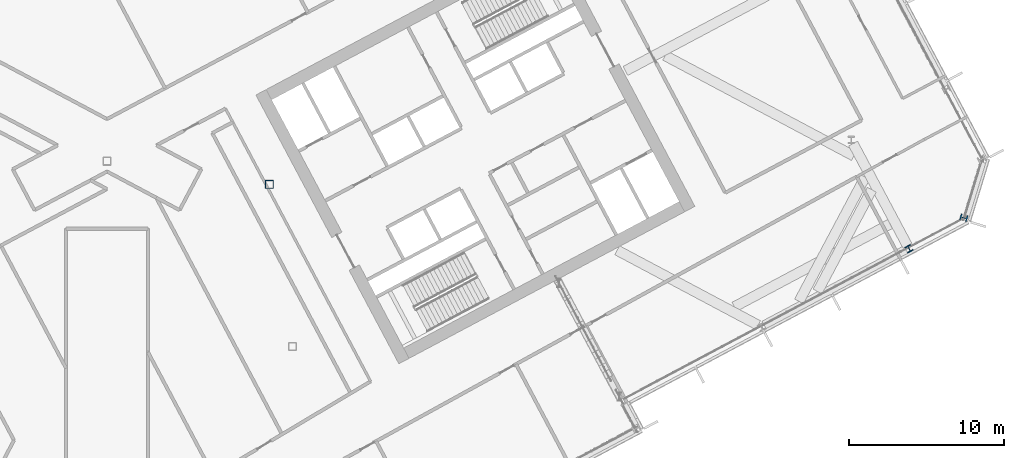
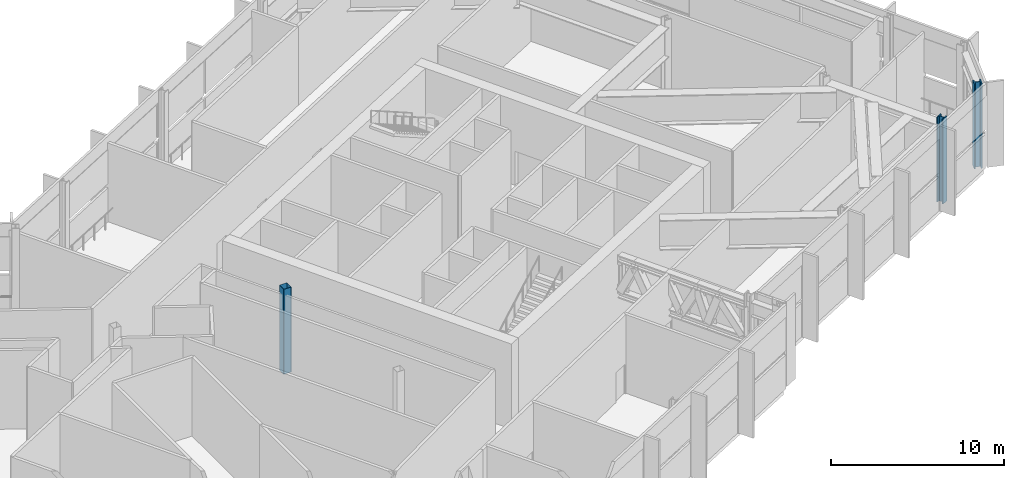
# One storey, part 6 of 33: 3 columns.
"""IFC4 building model written with IfcOpenShell, lengths in metres."""

from ifc_helpers import new_model, si_unit, direction, frame, origin, origin_2d, place, context, subcontext, project, spatial, hollow_rectangle, i_section, extrude, material, material_profile, profile_set, type_object, element, save


model = new_model("IFC4")

# Units and contexts
model_context = context("Model", 3, precision=1e-05, world=origin(), true_north=direction((0.0, 1.0)))
body_context = subcontext(model_context, "Body", "Model", "MODEL_VIEW")
ifc_project = project(units=[si_unit("LENGTHUNIT", "METRE"), si_unit("AREAUNIT", "SQUARE_METRE"), si_unit("VOLUMEUNIT", "CUBIC_METRE"), si_unit("PLANEANGLEUNIT", "RADIAN"), si_unit("MASSUNIT", "GRAM", prefix="KILO")], contexts=[model_context])

# Site, building, storey
site_placement = place(None, origin())
site = spatial("IfcSite", under=ifc_project, at=site_placement, CompositionType="ELEMENT")
building_placement = place(site_placement, origin())
building = spatial("IfcBuilding", under=site, at=building_placement, Name="Cormorant Relay Tower", CompositionType="ELEMENT")
storey_placement = place(building_placement, frame((0.0, 0.0, 183.60009765625)))
storey = spatial("IfcBuildingStorey", under=building, at=storey_placement, Name="L39", CompositionType="ELEMENT", Elevation=183.60009765625)

# Columns
ifc_material_1 = material(Name="Steel ASTM A500 Grade C (Fy 345 MPa)", Category="steel")
ifc_material_profile_1 = material_profile(ifc_material_1, hollow_rectangle(XDim=0.508056640625, YDim=0.508056640625, WallThickness=0.01171875, InnerFilletRadius=0.005859375, OuterFilletRadius=0.017822265625, at=origin_2d()), Name="HSS508x508x12")
ifc_profile_set_1 = profile_set([ifc_material_profile_1], Name="Steel ASTM A500 Grade C (Fy 345 MPa)")
column_type_1 = type_object("IfcColumnType", Name="Column HSS508x508x12", PredefinedType="COLUMN", material=ifc_profile_set_1)
column_1_placement = place(storey_placement, frame((10.5, 10.5, 0.0), z_axis=(0.0, 0.0, 1.0), x_axis=(1.0, 0.0, 0.0)))
element("IfcColumn", 1, at=column_1_placement, inside=storey, type_object=column_type_1, Name="Column L39-024", PredefinedType="COLUMN", context=body_context, shape_type="SweptSolid", body=[
    extrude(hollow_rectangle(XDim=0.508056640625, YDim=0.508056640625, WallThickness=0.01171875, InnerFilletRadius=0.005859375, OuterFilletRadius=0.017822265625, at=origin_2d()), origin(), (0.0, 0.0, 1.0), 6.0),
])
ifc_material_2 = material(Name="Steel ASTM A992 (Fy 345 MPa)", Category="steel")
ifc_material_profile_2 = material_profile(ifc_material_2, i_section(OverallWidth=0.41162109375, OverallDepth=0.434326171875, WebThickness=0.035888671875, FlangeThickness=0.057373046875, FilletRadius=0.01513671875, at=origin_2d()), Name="W360x463")
ifc_profile_set_2 = profile_set([ifc_material_profile_2], Name="Steel ASTM A992 (Fy 345 MPa)")
column_type_2 = type_object("IfcColumnType", Name="Column W360x463", PredefinedType="COLUMN", material=ifc_profile_set_2)
column_2_placement = place(storey_placement, frame((51.905029296875, 6.327880859375, 0.0), z_axis=(0.0, 0.0, 1.0), x_axis=(0.882947592859, 0.469471562786, 0.0)))
element("IfcColumn", 2, at=column_2_placement, inside=storey, type_object=column_type_2, Name="Column L39-020", PredefinedType="COLUMN", context=body_context, shape_type="SweptSolid", body=[
    extrude(i_section(OverallWidth=0.41162109375, OverallDepth=0.434326171875, WebThickness=0.035888671875, FlangeThickness=0.057373046875, FilletRadius=0.01513671875, at=origin_2d()), origin(), (0.0, 0.0, 1.0), 6.0),
])
ifc_material_3 = material(Name="Steel ASTM A992 (Fy 345 MPa)", Category="steel")
ifc_material_profile_3 = material_profile(ifc_material_3, i_section(OverallWidth=0.42431640625, OverallDepth=0.47509765625, WebThickness=0.0478515625, FlangeThickness=0.0771484375, FilletRadius=0.014892578125, at=origin_2d()), Name="W360x634")
ifc_profile_set_3 = profile_set([ifc_material_profile_3], Name="Steel ASTM A992 (Fy 345 MPa)")
column_type_3 = type_object("IfcColumnType", Name="Column W360x634", PredefinedType="COLUMN", material=ifc_profile_set_3)
column_3_placement = place(storey_placement, frame((55.446044921875, 8.3291015625, 0.0), z_axis=(0.0, 0.0, 1.0), x_axis=(0.292371704723, 0.956304755963, 0.0)))
element("IfcColumn", 3, at=column_3_placement, inside=storey, type_object=column_type_3, Name="Column L39-021", PredefinedType="COLUMN", context=body_context, shape_type="SweptSolid", body=[
    extrude(i_section(OverallWidth=0.42431640625, OverallDepth=0.47509765625, WebThickness=0.0478515625, FlangeThickness=0.0771484375, FilletRadius=0.014892578125, at=origin_2d()), origin(), (0.0, 0.0, 1.0), 6.0),
])

save(model, "model.ifc")
